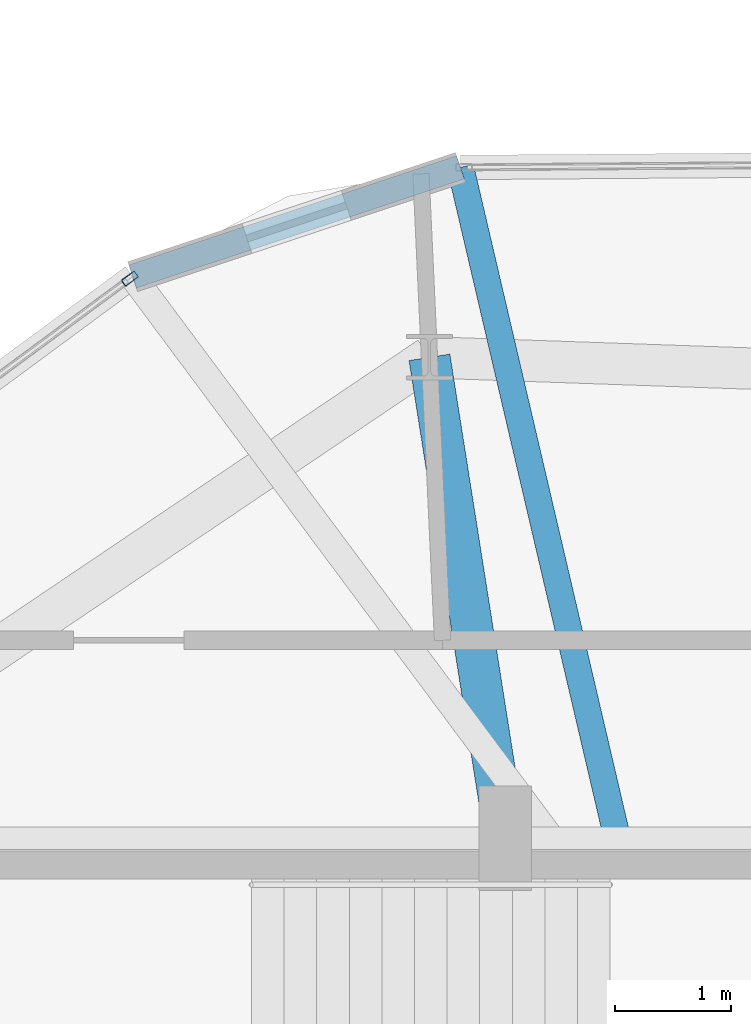
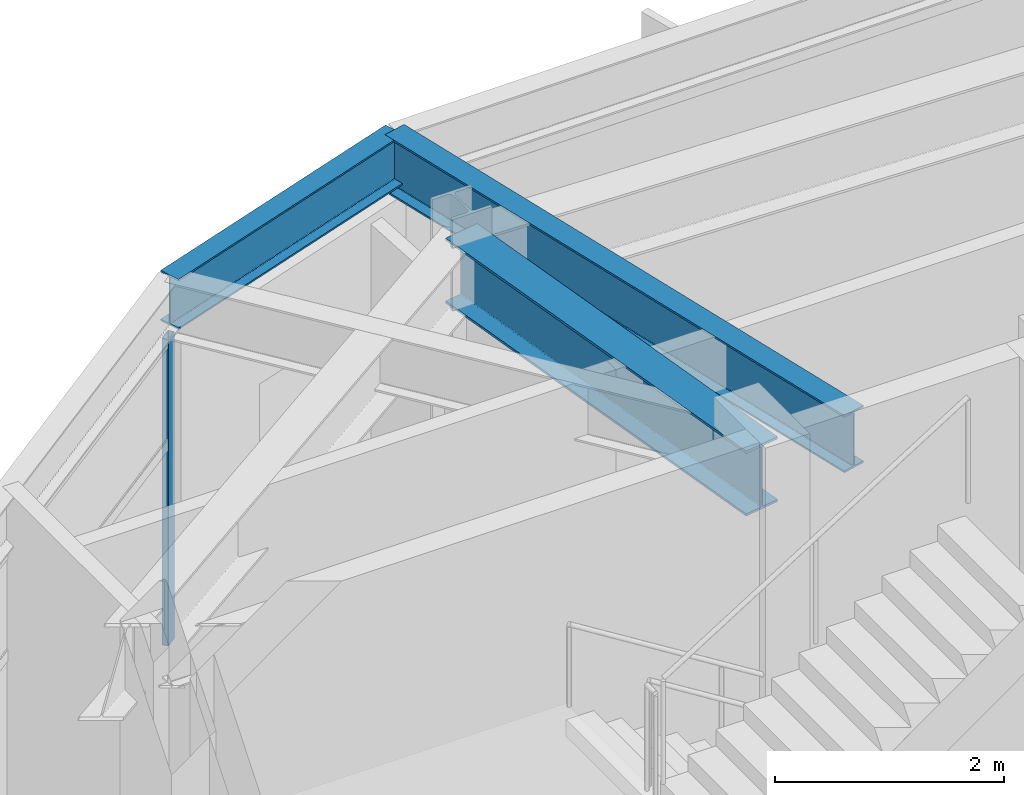
# One storey, part 12 of 22: 3 beams, 1 member, 1 element without a shape of its own.
"""IFC4 building model written with IfcOpenShell, lengths in metres."""

from ifc_helpers import new_model, si_unit, direction, frame, origin, origin_2d, place, context, subcontext, project, spatial, hollow_rectangle, i_section, extrude, material, layer, layer_set, material_profile, profile_set, type_object, element, aggregate, save


model = new_model("IFC4")

# Units and contexts
model_context = context("Model", 3, precision=1e-05, world=origin(), true_north=direction((0.0, 1.0)))
body_context = subcontext(model_context, "Body", "Model", "MODEL_VIEW")
ifc_project = project(units=[si_unit("LENGTHUNIT", "METRE"), si_unit("AREAUNIT", "SQUARE_METRE"), si_unit("VOLUMEUNIT", "CUBIC_METRE"), si_unit("PLANEANGLEUNIT", "RADIAN"), si_unit("MASSUNIT", "GRAM", prefix="KILO")], contexts=[model_context])

# Site, building, storey
site_placement = place(None, origin())
site = spatial("IfcSite", under=ifc_project, at=site_placement, CompositionType="ELEMENT")
building_placement = place(site_placement, origin())
building = spatial("IfcBuilding", under=site, at=building_placement, Name="Soratama Intermodal Tower", CompositionType="ELEMENT")
storey_placement = place(building_placement, frame((0.0, 0.0, 301.449951171875)))
storey = spatial("IfcBuildingStorey", under=building, at=storey_placement, Name="L76", CompositionType="ELEMENT", Elevation=301.449951171875)

# Beams
ifc_material_1 = material(Name="Structural steel ASTM A992 Grade 50", Category="steel")
ifc_material_profile_1 = material_profile(ifc_material_1, i_section(OverallWidth=0.35498046875, OverallDepth=0.695068359375, WebThickness=0.015380859375, FlangeThickness=0.02490234375, FilletRadius=0.01611328125, at=origin_2d()), Name="W27X146")
ifc_profile_set_1 = profile_set([ifc_material_profile_1], Name="Structural steel ASTM A992 Grade 50")
beam_type_1 = type_object("IfcBeamType", Name="BM-RING-W27X146", PredefinedType="BEAM", material=ifc_profile_set_1)
beam_1_placement = place(storey_placement, frame((38.60009765625, 35.0, 3.547607421875), z_axis=(-0.155965571991, 0.987762491874, 0.0), x_axis=(-0.987762491874, -0.155965571991, 0.0)))
element("IfcBeam", 1, at=beam_1_placement, inside=storey, type_object=beam_type_1, Name="BM-L76-RAD-03", PredefinedType="BEAM", context=body_context, shape_type="SweptSolid", body=[
    extrude(i_section(OverallWidth=0.35498046875, OverallDepth=0.695068359375, WebThickness=0.015380859375, FlangeThickness=0.02490234375, FilletRadius=0.01611328125, at=origin_2d()), origin(), (0.0, 0.0, 1.0), 4.18115234375),
])
ifc_material_2 = material(Name="Structural steel ASTM A992 Grade 50", Category="steel")
ifc_material_profile_2 = material_profile(ifc_material_2, i_section(OverallWidth=0.2099609375, OverallDepth=0.537109375, WebThickness=0.010986328125, FlangeThickness=0.017333984375, FilletRadius=0.012939453125, at=origin_2d()), Name="W21X68")
ifc_profile_set_2 = profile_set([ifc_material_profile_2], Name="Structural steel ASTM A992 Grade 50")
beam_type_2 = type_object("IfcBeamType", Name="BM-SPN-W21X68", PredefinedType="SPANDREL", material=ifc_profile_set_2)
beam_2_placement = place(storey_placement, frame((38.214111328125, 40.760986328125, 3.62646484375), z_axis=(-0.948790247064, -0.31590673794, 0.0), x_axis=(0.31590673794, -0.948790247064, 0.0)))
element("IfcBeam", 2, at=beam_2_placement, inside=storey, type_object=beam_type_2, Name="BS-L76-CRN01", PredefinedType="SPANDREL", context=body_context, shape_type="SweptSolid", body=[
    extrude(i_section(OverallWidth=0.2099609375, OverallDepth=0.537109375, WebThickness=0.010986328125, FlangeThickness=0.017333984375, FilletRadius=0.012939453125, at=origin_2d()), origin(), (0.0, 0.0, 1.0), 2.966064453125),
])
ifc_material_3 = material(Name="Structural steel ASTM A992 Grade 50", Category="steel")
ifc_material_profile_3 = material_profile(ifc_material_3, i_section(OverallWidth=0.22900390625, OverallDepth=0.612060546875, WebThickness=0.011962890625, FlangeThickness=0.01953125, FilletRadius=0.012939453125, at=origin_2d()), Name="W24X84")
ifc_profile_set_3 = profile_set([ifc_material_profile_3], Name="Structural steel ASTM A992 Grade 50")
beam_type_3 = type_object("IfcBeamType", Name="BM-TIE-W24X84", PredefinedType="BEAM", material=ifc_profile_set_3)
beam_3_placement = place(storey_placement, frame((39.552001953125, 35.0390625, 3.589111328125), z_axis=(-0.227677458405, 0.973736604495, 0.0), x_axis=(-0.973736604495, -0.227677458405, 0.0)))
element("IfcBeam", 3, at=beam_3_placement, inside=storey, type_object=beam_type_3, Name="BM-L76-TIE1-01", PredefinedType="BEAM", context=body_context, shape_type="SweptSolid", body=[
    extrude(i_section(OverallWidth=0.22900390625, OverallDepth=0.612060546875, WebThickness=0.011962890625, FlangeThickness=0.01953125, FilletRadius=0.012939453125, at=origin_2d()), origin(), (0.0, 0.0, 1.0), 5.876220703125),
])

# Curtain wall, member
ifc_material_4 = material(Name="Double-glazed aluminium curtain wall", Category="aluminium")
ifc_layer = layer(ifc_material_4, 0.159912109375)
ifc_layer_set = layer_set([ifc_layer], Name="Double-glazed aluminium curtain wall")
curtain_wall_type = type_object("IfcCurtainWallType", Name="CW-SYS-6", PredefinedType="NOTDEFINED", material=ifc_layer_set)
curtain_wall_placement = place(storey_placement, origin())
curtain_wall = element("IfcCurtainWall", 4, at=curtain_wall_placement, inside=storey, type_object=curtain_wall_type, Name="L76 Faceted Curtain Wall F02", PredefinedType="NOTDEFINED")
ifc_material_5 = material(Name="Anodised aluminium AA 6063-T6", Category="aluminium")
ifc_material_profile_4 = material_profile(ifc_material_5, hollow_rectangle(XDim=0.06494140625, YDim=0.139892578125, WallThickness=0.0048828125, InnerFilletRadius=0.0048828125, OuterFilletRadius=0.010009765625, at=origin_2d()), Name="CWM140X65X5")
ifc_profile_set_4 = profile_set([ifc_material_profile_4], Name="Anodised aluminium AA 6063-T6")
member_type = type_object("IfcMemberType", Name="MT-CWM-6", PredefinedType="MULLION", material=ifc_profile_set_4)
member_placement = place(storey_placement, frame((35.37548828125, 39.805908203125, 0.0), z_axis=(0.0, 0.0, 1.0), x_axis=(0.593704851931, -0.804682887101, 0.0)))
member = element("IfcMember", 5, at=member_placement, type_object=member_type, Name="CW-6 mullion 1", PredefinedType="MULLION", context=body_context, shape_type="SweptSolid", body=[
    extrude(hollow_rectangle(XDim=0.06494140625, YDim=0.139892578125, WallThickness=0.0048828125, InnerFilletRadius=0.0048828125, OuterFilletRadius=0.010009765625, at=origin_2d()), origin(), (0.0, 0.0, 1.0), 3.274169921875),
])
aggregate(curtain_wall, [member])

save(model, "model.ifc")
